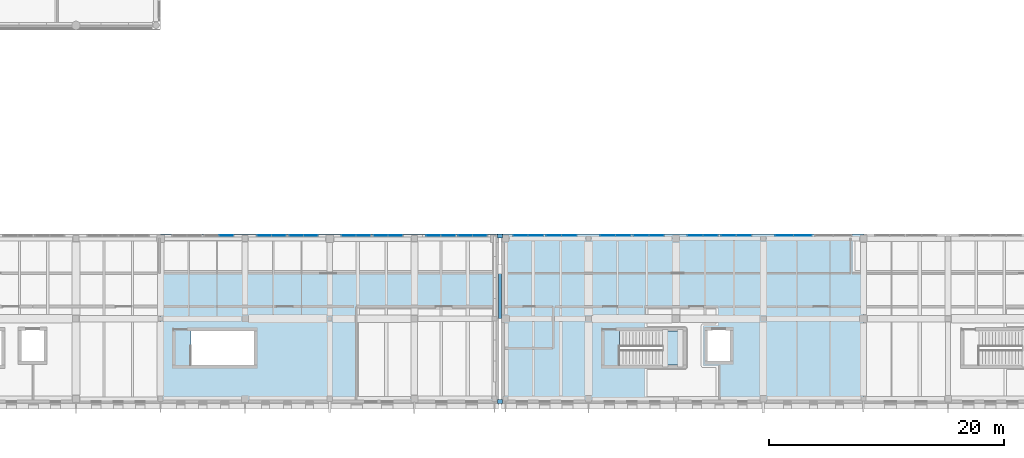
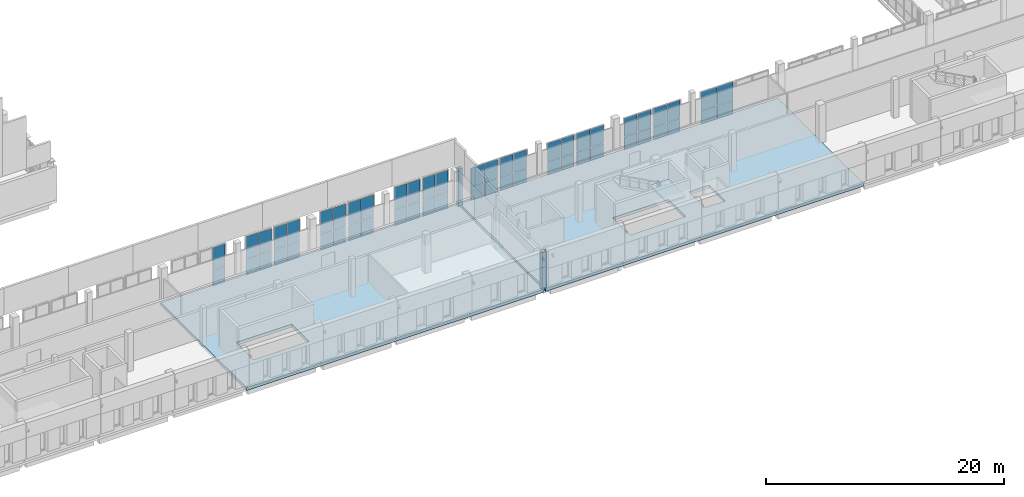
# One storey, part 40 of 76: 56 plates, 4 slabs, 15 elements without a shape of their own.
"""IFC4 building model written with IfcOpenShell, lengths in metres."""

from ifc_helpers import new_model, si_unit, direction, frame, origin, origin_2d, place, context, subcontext, project, spatial, polyline, rectangle, outline, extrude, material, layer, layer_set, type_object, element, aggregate, save


model = new_model("IFC4")

# Units and contexts
model_context = context("Model", 3, precision=1e-05, world=origin(), true_north=direction((0.0, 1.0)))
body_context = subcontext(model_context, "Body", "Model", "MODEL_VIEW")
ifc_project = project(units=[si_unit("LENGTHUNIT", "METRE"), si_unit("AREAUNIT", "SQUARE_METRE"), si_unit("VOLUMEUNIT", "CUBIC_METRE"), si_unit("PLANEANGLEUNIT", "RADIAN"), si_unit("MASSUNIT", "GRAM", prefix="KILO")], contexts=[model_context])

# Site, building, storey
site_placement = place(None, origin())
site = spatial("IfcSite", under=ifc_project, at=site_placement, CompositionType="ELEMENT")
building_placement = place(site_placement, origin())
building = spatial("IfcBuilding", under=site, at=building_placement, Name="Vardoun Plaza Health Centre", CompositionType="ELEMENT")
storey_placement = place(building_placement, frame((0.0, 0.0, 4.5)))
storey = spatial("IfcBuildingStorey", under=building, at=storey_placement, Name="L01", CompositionType="ELEMENT", Elevation=4.5)

# Curtain wall, plates
ifc_material_1 = material(Name="Aluminium Alloy EN AW-6063-T6 and Low-E Glass", Category="aluminium")
ifc_layer_1 = layer(ifc_material_1, 0.14990234375)
ifc_layer_set_1 = layer_set([ifc_layer_1], Name="Aluminium Alloy EN AW-6063-T6 and Low-E Glass")
curtain_wall_type = type_object("IfcCurtainWallType", Name="CW-03", PredefinedType="NOTDEFINED", material=ifc_layer_set_1)
curtain_wall_1_placement = place(storey_placement, origin())
curtain_wall_1 = element("IfcCurtainWall", 1, at=curtain_wall_1_placement, inside=storey, type_object=curtain_wall_type, Name="Curtain Wall CW-V4-126", PredefinedType="NOTDEFINED")
ifc_material_2 = material(Name="Solar-Control Double Low-E Glazing", Category="glass")
ifc_layer_2 = layer(ifc_material_2, 0.028076171875)
ifc_layer_set_2 = layer_set([ifc_layer_2], Name="Solar-Control Double Low-E Glazing")
plate_type_1 = type_object("IfcPlateType", Name="CW-P1", PredefinedType="CURTAIN_PANEL", material=ifc_layer_set_2)
plate_1_placement = place(storey_placement, frame((82.264892578125, 18.780029296875, 0.06005859375), z_axis=(0.0, 0.0, 1.0), x_axis=(1.0, 0.0, 0.0)))
plate_1 = element("IfcPlate", 2, at=plate_1_placement, type_object=plate_type_1, Name="CW-V4-126 panel 2.1", PredefinedType="CURTAIN_PANEL", context=body_context, shape_type="SweptSolid", body=[
    extrude(rectangle(XDim=1.18994140625, YDim=0.028076171875, at=origin_2d()), origin(), (0.0, 0.0, 1.0), 1.587890625),
])
plate_2_placement = place(storey_placement, frame((82.264892578125, 18.780029296875, 1.7080078125), z_axis=(0.0, 0.0, 1.0), x_axis=(1.0, 0.0, 0.0)))
plate_2 = element("IfcPlate", 3, at=plate_2_placement, type_object=plate_type_1, Name="CW-V4-126 panel 2.2", PredefinedType="CURTAIN_PANEL", context=body_context, shape_type="SweptSolid", body=[
    extrude(rectangle(XDim=1.18994140625, YDim=0.028076171875, at=origin_2d()), origin(), (0.0, 0.0, 1.0), 2.22705078125),
])
aggregate(curtain_wall_1, [plate_1, plate_2])

curtain_wall_2_placement = place(storey_placement, origin())
curtain_wall_2 = element("IfcCurtainWall", 4, at=curtain_wall_2_placement, inside=storey, type_object=curtain_wall_type, Name="Curtain Wall CW-V4-127", PredefinedType="NOTDEFINED")
plate_3_placement = place(storey_placement, frame((85.4951171875, 18.780029296875, 0.06005859375), z_axis=(0.0, 0.0, 1.0), x_axis=(1.0, 0.0, 0.0)))
plate_3 = element("IfcPlate", 5, at=plate_3_placement, type_object=plate_type_1, Name="CW-V4-127 panel 1.1", PredefinedType="CURTAIN_PANEL", context=body_context, shape_type="SweptSolid", body=[
    extrude(rectangle(XDim=1.18994140625, YDim=0.028076171875, at=origin_2d()), origin(), (0.0, 0.0, 1.0), 1.587890625),
])
plate_4_placement = place(storey_placement, frame((85.4951171875, 18.780029296875, 1.7080078125), z_axis=(0.0, 0.0, 1.0), x_axis=(1.0, 0.0, 0.0)))
plate_4 = element("IfcPlate", 6, at=plate_4_placement, type_object=plate_type_1, Name="CW-V4-127 panel 1.2", PredefinedType="CURTAIN_PANEL", context=body_context, shape_type="SweptSolid", body=[
    extrude(rectangle(XDim=1.18994140625, YDim=0.028076171875, at=origin_2d()), origin(), (0.0, 0.0, 1.0), 2.22705078125),
])
plate_5_placement = place(storey_placement, frame((86.7451171875, 18.780029296875, 0.06005859375), z_axis=(0.0, 0.0, 1.0), x_axis=(1.0, 0.0, 0.0)))
plate_5 = element("IfcPlate", 7, at=plate_5_placement, type_object=plate_type_1, Name="CW-V4-127 panel 2.1", PredefinedType="CURTAIN_PANEL", context=body_context, shape_type="SweptSolid", body=[
    extrude(rectangle(XDim=1.18994140625, YDim=0.028076171875, at=origin_2d()), origin(), (0.0, 0.0, 1.0), 1.587890625),
])
plate_6_placement = place(storey_placement, frame((86.7451171875, 18.780029296875, 1.7080078125), z_axis=(0.0, 0.0, 1.0), x_axis=(1.0, 0.0, 0.0)))
plate_6 = element("IfcPlate", 8, at=plate_6_placement, type_object=plate_type_1, Name="CW-V4-127 panel 2.2", PredefinedType="CURTAIN_PANEL", context=body_context, shape_type="SweptSolid", body=[
    extrude(rectangle(XDim=1.18994140625, YDim=0.028076171875, at=origin_2d()), origin(), (0.0, 0.0, 1.0), 2.22705078125),
])
aggregate(curtain_wall_2, [plate_3, plate_4, plate_5, plate_6])

curtain_wall_3_placement = place(storey_placement, origin())
curtain_wall_3 = element("IfcCurtainWall", 9, at=curtain_wall_3_placement, inside=storey, type_object=curtain_wall_type, Name="Curtain Wall CW-V4-128", PredefinedType="NOTDEFINED")
plate_7_placement = place(storey_placement, frame((88.215087890625, 18.780029296875, 0.06005859375), z_axis=(0.0, 0.0, 1.0), x_axis=(1.0, 0.0, 0.0)))
plate_7 = element("IfcPlate", 10, at=plate_7_placement, type_object=plate_type_1, Name="CW-V4-128 panel 1.1", PredefinedType="CURTAIN_PANEL", context=body_context, shape_type="SweptSolid", body=[
    extrude(rectangle(XDim=1.18994140625, YDim=0.028076171875, at=origin_2d()), origin(), (0.0, 0.0, 1.0), 1.587890625),
])
plate_8_placement = place(storey_placement, frame((88.215087890625, 18.780029296875, 1.7080078125), z_axis=(0.0, 0.0, 1.0), x_axis=(1.0, 0.0, 0.0)))
plate_8 = element("IfcPlate", 11, at=plate_8_placement, type_object=plate_type_1, Name="CW-V4-128 panel 1.2", PredefinedType="CURTAIN_PANEL", context=body_context, shape_type="SweptSolid", body=[
    extrude(rectangle(XDim=1.18994140625, YDim=0.028076171875, at=origin_2d()), origin(), (0.0, 0.0, 1.0), 2.22705078125),
])
plate_9_placement = place(storey_placement, frame((89.465087890625, 18.780029296875, 0.06005859375), z_axis=(0.0, 0.0, 1.0), x_axis=(1.0, 0.0, 0.0)))
plate_9 = element("IfcPlate", 12, at=plate_9_placement, type_object=plate_type_1, Name="CW-V4-128 panel 2.1", PredefinedType="CURTAIN_PANEL", context=body_context, shape_type="SweptSolid", body=[
    extrude(rectangle(XDim=1.18994140625, YDim=0.028076171875, at=origin_2d()), origin(), (0.0, 0.0, 1.0), 1.587890625),
])
plate_10_placement = place(storey_placement, frame((89.465087890625, 18.780029296875, 1.7080078125), z_axis=(0.0, 0.0, 1.0), x_axis=(1.0, 0.0, 0.0)))
plate_10 = element("IfcPlate", 13, at=plate_10_placement, type_object=plate_type_1, Name="CW-V4-128 panel 2.2", PredefinedType="CURTAIN_PANEL", context=body_context, shape_type="SweptSolid", body=[
    extrude(rectangle(XDim=1.18994140625, YDim=0.028076171875, at=origin_2d()), origin(), (0.0, 0.0, 1.0), 2.22705078125),
])
aggregate(curtain_wall_3, [plate_7, plate_8, plate_9, plate_10])

curtain_wall_4_placement = place(storey_placement, origin())
curtain_wall_4 = element("IfcCurtainWall", 14, at=curtain_wall_4_placement, inside=storey, type_object=curtain_wall_type, Name="Curtain Wall CW-V4-129", PredefinedType="NOTDEFINED")
plate_11_placement = place(storey_placement, frame((92.695068359375, 18.780029296875, 0.06005859375), z_axis=(0.0, 0.0, 1.0), x_axis=(1.0, 0.0, 0.0)))
plate_11 = element("IfcPlate", 15, at=plate_11_placement, type_object=plate_type_1, Name="CW-V4-129 panel 1.1", PredefinedType="CURTAIN_PANEL", context=body_context, shape_type="SweptSolid", body=[
    extrude(rectangle(XDim=1.18994140625, YDim=0.028076171875, at=origin_2d()), origin(), (0.0, 0.0, 1.0), 1.587890625),
])
plate_12_placement = place(storey_placement, frame((92.695068359375, 18.780029296875, 1.7080078125), z_axis=(0.0, 0.0, 1.0), x_axis=(1.0, 0.0, 0.0)))
plate_12 = element("IfcPlate", 16, at=plate_12_placement, type_object=plate_type_1, Name="CW-V4-129 panel 1.2", PredefinedType="CURTAIN_PANEL", context=body_context, shape_type="SweptSolid", body=[
    extrude(rectangle(XDim=1.18994140625, YDim=0.028076171875, at=origin_2d()), origin(), (0.0, 0.0, 1.0), 2.22705078125),
])
plate_13_placement = place(storey_placement, frame((93.945068359375, 18.780029296875, 0.06005859375), z_axis=(0.0, 0.0, 1.0), x_axis=(1.0, 0.0, 0.0)))
plate_13 = element("IfcPlate", 17, at=plate_13_placement, type_object=plate_type_1, Name="CW-V4-129 panel 2.1", PredefinedType="CURTAIN_PANEL", context=body_context, shape_type="SweptSolid", body=[
    extrude(rectangle(XDim=1.18994140625, YDim=0.028076171875, at=origin_2d()), origin(), (0.0, 0.0, 1.0), 1.587890625),
])
plate_14_placement = place(storey_placement, frame((93.945068359375, 18.780029296875, 1.7080078125), z_axis=(0.0, 0.0, 1.0), x_axis=(1.0, 0.0, 0.0)))
plate_14 = element("IfcPlate", 18, at=plate_14_placement, type_object=plate_type_1, Name="CW-V4-129 panel 2.2", PredefinedType="CURTAIN_PANEL", context=body_context, shape_type="SweptSolid", body=[
    extrude(rectangle(XDim=1.18994140625, YDim=0.028076171875, at=origin_2d()), origin(), (0.0, 0.0, 1.0), 2.22705078125),
])
aggregate(curtain_wall_4, [plate_11, plate_12, plate_13, plate_14])

curtain_wall_5_placement = place(storey_placement, origin())
curtain_wall_5 = element("IfcCurtainWall", 19, at=curtain_wall_5_placement, inside=storey, type_object=curtain_wall_type, Name="Curtain Wall CW-V4-130", PredefinedType="NOTDEFINED")
plate_15_placement = place(storey_placement, frame((95.4150390625, 18.780029296875, 0.06005859375), z_axis=(0.0, 0.0, 1.0), x_axis=(1.0, 0.0, 0.0)))
plate_15 = element("IfcPlate", 20, at=plate_15_placement, type_object=plate_type_1, Name="CW-V4-130 panel 1.1", PredefinedType="CURTAIN_PANEL", context=body_context, shape_type="SweptSolid", body=[
    extrude(rectangle(XDim=1.18994140625, YDim=0.028076171875, at=origin_2d()), origin(), (0.0, 0.0, 1.0), 1.587890625),
])
plate_16_placement = place(storey_placement, frame((95.4150390625, 18.780029296875, 1.7080078125), z_axis=(0.0, 0.0, 1.0), x_axis=(1.0, 0.0, 0.0)))
plate_16 = element("IfcPlate", 21, at=plate_16_placement, type_object=plate_type_1, Name="CW-V4-130 panel 1.2", PredefinedType="CURTAIN_PANEL", context=body_context, shape_type="SweptSolid", body=[
    extrude(rectangle(XDim=1.18994140625, YDim=0.028076171875, at=origin_2d()), origin(), (0.0, 0.0, 1.0), 2.22705078125),
])
plate_17_placement = place(storey_placement, frame((96.6650390625, 18.780029296875, 0.06005859375), z_axis=(0.0, 0.0, 1.0), x_axis=(1.0, 0.0, 0.0)))
plate_17 = element("IfcPlate", 22, at=plate_17_placement, type_object=plate_type_1, Name="CW-V4-130 panel 2.1", PredefinedType="CURTAIN_PANEL", context=body_context, shape_type="SweptSolid", body=[
    extrude(rectangle(XDim=1.18994140625, YDim=0.028076171875, at=origin_2d()), origin(), (0.0, 0.0, 1.0), 1.587890625),
])
plate_18_placement = place(storey_placement, frame((96.6650390625, 18.780029296875, 1.7080078125), z_axis=(0.0, 0.0, 1.0), x_axis=(1.0, 0.0, 0.0)))
plate_18 = element("IfcPlate", 23, at=plate_18_placement, type_object=plate_type_1, Name="CW-V4-130 panel 2.2", PredefinedType="CURTAIN_PANEL", context=body_context, shape_type="SweptSolid", body=[
    extrude(rectangle(XDim=1.18994140625, YDim=0.028076171875, at=origin_2d()), origin(), (0.0, 0.0, 1.0), 2.22705078125),
])
aggregate(curtain_wall_5, [plate_15, plate_16, plate_17, plate_18])

curtain_wall_6_placement = place(storey_placement, origin())
curtain_wall_6 = element("IfcCurtainWall", 24, at=curtain_wall_6_placement, inside=storey, type_object=curtain_wall_type, Name="Curtain Wall CW-V4-131", PredefinedType="NOTDEFINED")
plate_19_placement = place(storey_placement, frame((99.89501953125, 18.780029296875, 0.06005859375), z_axis=(0.0, 0.0, 1.0), x_axis=(1.0, 0.0, 0.0)))
plate_19 = element("IfcPlate", 25, at=plate_19_placement, type_object=plate_type_1, Name="CW-V4-131 panel 1.1", PredefinedType="CURTAIN_PANEL", context=body_context, shape_type="SweptSolid", body=[
    extrude(rectangle(XDim=1.18994140625, YDim=0.028076171875, at=origin_2d()), origin(), (0.0, 0.0, 1.0), 1.587890625),
])
plate_20_placement = place(storey_placement, frame((99.89501953125, 18.780029296875, 1.7080078125), z_axis=(0.0, 0.0, 1.0), x_axis=(1.0, 0.0, 0.0)))
plate_20 = element("IfcPlate", 26, at=plate_20_placement, type_object=plate_type_1, Name="CW-V4-131 panel 1.2", PredefinedType="CURTAIN_PANEL", context=body_context, shape_type="SweptSolid", body=[
    extrude(rectangle(XDim=1.18994140625, YDim=0.028076171875, at=origin_2d()), origin(), (0.0, 0.0, 1.0), 2.22705078125),
])
plate_21_placement = place(storey_placement, frame((101.14501953125, 18.780029296875, 0.06005859375), z_axis=(0.0, 0.0, 1.0), x_axis=(1.0, 0.0, 0.0)))
plate_21 = element("IfcPlate", 27, at=plate_21_placement, type_object=plate_type_1, Name="CW-V4-131 panel 2.1", PredefinedType="CURTAIN_PANEL", context=body_context, shape_type="SweptSolid", body=[
    extrude(rectangle(XDim=1.18994140625, YDim=0.028076171875, at=origin_2d()), origin(), (0.0, 0.0, 1.0), 1.587890625),
])
plate_22_placement = place(storey_placement, frame((101.14501953125, 18.780029296875, 1.7080078125), z_axis=(0.0, 0.0, 1.0), x_axis=(1.0, 0.0, 0.0)))
plate_22 = element("IfcPlate", 28, at=plate_22_placement, type_object=plate_type_1, Name="CW-V4-131 panel 2.2", PredefinedType="CURTAIN_PANEL", context=body_context, shape_type="SweptSolid", body=[
    extrude(rectangle(XDim=1.18994140625, YDim=0.028076171875, at=origin_2d()), origin(), (0.0, 0.0, 1.0), 2.22705078125),
])
aggregate(curtain_wall_6, [plate_19, plate_20, plate_21, plate_22])

curtain_wall_7_placement = place(storey_placement, origin())
curtain_wall_7 = element("IfcCurtainWall", 29, at=curtain_wall_7_placement, inside=storey, type_object=curtain_wall_type, Name="Curtain Wall CW-V4-132", PredefinedType="NOTDEFINED")
plate_23_placement = place(storey_placement, frame((102.614990234375, 18.780029296875, 0.06005859375), z_axis=(0.0, 0.0, 1.0), x_axis=(1.0, 0.0, 0.0)))
plate_23 = element("IfcPlate", 30, at=plate_23_placement, type_object=plate_type_1, Name="CW-V4-132 panel 1.1", PredefinedType="CURTAIN_PANEL", context=body_context, shape_type="SweptSolid", body=[
    extrude(rectangle(XDim=1.18994140625, YDim=0.028076171875, at=origin_2d()), origin(), (0.0, 0.0, 1.0), 1.587890625),
])
plate_24_placement = place(storey_placement, frame((102.614990234375, 18.780029296875, 1.7080078125), z_axis=(0.0, 0.0, 1.0), x_axis=(1.0, 0.0, 0.0)))
plate_24 = element("IfcPlate", 31, at=plate_24_placement, type_object=plate_type_1, Name="CW-V4-132 panel 1.2", PredefinedType="CURTAIN_PANEL", context=body_context, shape_type="SweptSolid", body=[
    extrude(rectangle(XDim=1.18994140625, YDim=0.028076171875, at=origin_2d()), origin(), (0.0, 0.0, 1.0), 2.22705078125),
])
plate_25_placement = place(storey_placement, frame((103.864990234375, 18.780029296875, 0.06005859375), z_axis=(0.0, 0.0, 1.0), x_axis=(1.0, 0.0, 0.0)))
plate_25 = element("IfcPlate", 32, at=plate_25_placement, type_object=plate_type_1, Name="CW-V4-132 panel 2.1", PredefinedType="CURTAIN_PANEL", context=body_context, shape_type="SweptSolid", body=[
    extrude(rectangle(XDim=1.18994140625, YDim=0.028076171875, at=origin_2d()), origin(), (0.0, 0.0, 1.0), 1.587890625),
])
plate_26_placement = place(storey_placement, frame((103.864990234375, 18.780029296875, 1.7080078125), z_axis=(0.0, 0.0, 1.0), x_axis=(1.0, 0.0, 0.0)))
plate_26 = element("IfcPlate", 33, at=plate_26_placement, type_object=plate_type_1, Name="CW-V4-132 panel 2.2", PredefinedType="CURTAIN_PANEL", context=body_context, shape_type="SweptSolid", body=[
    extrude(rectangle(XDim=1.18994140625, YDim=0.028076171875, at=origin_2d()), origin(), (0.0, 0.0, 1.0), 2.22705078125),
])
aggregate(curtain_wall_7, [plate_23, plate_24, plate_25, plate_26])

curtain_wall_8_placement = place(storey_placement, origin())
curtain_wall_8 = element("IfcCurtainWall", 34, at=curtain_wall_8_placement, inside=storey, type_object=curtain_wall_type, Name="Curtain Wall CW-V5-149", PredefinedType="NOTDEFINED")
plate_27_placement = place(storey_placement, frame((107.304931640625, 18.780029296875, 0.06005859375), z_axis=(0.0, 0.0, 1.0), x_axis=(1.0, 0.0, 0.0)))
plate_27 = element("IfcPlate", 35, at=plate_27_placement, type_object=plate_type_1, Name="CW-V5-149 panel 1.1", PredefinedType="CURTAIN_PANEL", context=body_context, shape_type="SweptSolid", body=[
    extrude(rectangle(XDim=1.25, YDim=0.028076171875, at=origin_2d()), origin(), (0.0, 0.0, 1.0), 1.333740234375),
])
plate_28_placement = place(storey_placement, frame((107.304931640625, 18.780029296875, 1.45361328125), z_axis=(0.0, 0.0, 1.0), x_axis=(1.0, 0.0, 0.0)))
plate_28 = element("IfcPlate", 36, at=plate_28_placement, type_object=plate_type_1, Name="CW-V5-149 panel 1.2", PredefinedType="CURTAIN_PANEL", context=body_context, shape_type="SweptSolid", body=[
    extrude(rectangle(XDim=1.25, YDim=0.028076171875, at=origin_2d()), origin(), (0.0, 0.0, 1.0), 1.876220703125),
])
plate_29_placement = place(storey_placement, frame((108.614990234375, 18.780029296875, 0.06005859375), z_axis=(0.0, 0.0, 1.0), x_axis=(1.0, 0.0, 0.0)))
plate_29 = element("IfcPlate", 37, at=plate_29_placement, type_object=plate_type_1, Name="CW-V5-149 panel 2.1", PredefinedType="CURTAIN_PANEL", context=body_context, shape_type="SweptSolid", body=[
    extrude(rectangle(XDim=1.25, YDim=0.028076171875, at=origin_2d()), origin(), (0.0, 0.0, 1.0), 1.333740234375),
])
plate_30_placement = place(storey_placement, frame((108.614990234375, 18.780029296875, 1.45361328125), z_axis=(0.0, 0.0, 1.0), x_axis=(1.0, 0.0, 0.0)))
plate_30 = element("IfcPlate", 38, at=plate_30_placement, type_object=plate_type_1, Name="CW-V5-149 panel 2.2", PredefinedType="CURTAIN_PANEL", context=body_context, shape_type="SweptSolid", body=[
    extrude(rectangle(XDim=1.25, YDim=0.028076171875, at=origin_2d()), origin(), (0.0, 0.0, 1.0), 1.876220703125),
])
aggregate(curtain_wall_8, [plate_27, plate_28, plate_29, plate_30])

curtain_wall_9_placement = place(storey_placement, origin())
curtain_wall_9 = element("IfcCurtainWall", 39, at=curtain_wall_9_placement, inside=storey, type_object=curtain_wall_type, Name="Curtain Wall CW-V5-150", PredefinedType="NOTDEFINED")
plate_31_placement = place(storey_placement, frame((110.14501953125, 18.780029296875, 0.06005859375), z_axis=(0.0, 0.0, 1.0), x_axis=(1.0, 0.0, 0.0)))
plate_31 = element("IfcPlate", 40, at=plate_31_placement, type_object=plate_type_1, Name="CW-V5-150 panel 1.1", PredefinedType="CURTAIN_PANEL", context=body_context, shape_type="SweptSolid", body=[
    extrude(rectangle(XDim=1.25, YDim=0.028076171875, at=origin_2d()), origin(), (0.0, 0.0, 1.0), 1.333740234375),
])
plate_32_placement = place(storey_placement, frame((110.14501953125, 18.780029296875, 1.45361328125), z_axis=(0.0, 0.0, 1.0), x_axis=(1.0, 0.0, 0.0)))
plate_32 = element("IfcPlate", 41, at=plate_32_placement, type_object=plate_type_1, Name="CW-V5-150 panel 1.2", PredefinedType="CURTAIN_PANEL", context=body_context, shape_type="SweptSolid", body=[
    extrude(rectangle(XDim=1.25, YDim=0.028076171875, at=origin_2d()), origin(), (0.0, 0.0, 1.0), 1.876220703125),
])
plate_33_placement = place(storey_placement, frame((111.455078125, 18.780029296875, 0.06005859375), z_axis=(0.0, 0.0, 1.0), x_axis=(1.0, 0.0, 0.0)))
plate_33 = element("IfcPlate", 42, at=plate_33_placement, type_object=plate_type_1, Name="CW-V5-150 panel 2.1", PredefinedType="CURTAIN_PANEL", context=body_context, shape_type="SweptSolid", body=[
    extrude(rectangle(XDim=1.25, YDim=0.028076171875, at=origin_2d()), origin(), (0.0, 0.0, 1.0), 1.333740234375),
])
plate_34_placement = place(storey_placement, frame((111.455078125, 18.780029296875, 1.45361328125), z_axis=(0.0, 0.0, 1.0), x_axis=(1.0, 0.0, 0.0)))
plate_34 = element("IfcPlate", 43, at=plate_34_placement, type_object=plate_type_1, Name="CW-V5-150 panel 2.2", PredefinedType="CURTAIN_PANEL", context=body_context, shape_type="SweptSolid", body=[
    extrude(rectangle(XDim=1.25, YDim=0.028076171875, at=origin_2d()), origin(), (0.0, 0.0, 1.0), 1.876220703125),
])
aggregate(curtain_wall_9, [plate_31, plate_32, plate_33, plate_34])

curtain_wall_10_placement = place(storey_placement, origin())
curtain_wall_10 = element("IfcCurtainWall", 44, at=curtain_wall_10_placement, inside=storey, type_object=curtain_wall_type, Name="Curtain Wall CW-V5-151", PredefinedType="NOTDEFINED")
plate_35_placement = place(storey_placement, frame((114.7451171875, 18.780029296875, 0.06005859375), z_axis=(0.0, 0.0, 1.0), x_axis=(1.0, 0.0, 0.0)))
plate_35 = element("IfcPlate", 45, at=plate_35_placement, type_object=plate_type_1, Name="CW-V5-151 panel 1.1", PredefinedType="CURTAIN_PANEL", context=body_context, shape_type="SweptSolid", body=[
    extrude(rectangle(XDim=1.25, YDim=0.028076171875, at=origin_2d()), origin(), (0.0, 0.0, 1.0), 1.30029296875),
])
plate_36_placement = place(storey_placement, frame((114.7451171875, 18.780029296875, 1.42041015625), z_axis=(0.0, 0.0, 1.0), x_axis=(1.0, 0.0, 0.0)))
plate_36 = element("IfcPlate", 46, at=plate_36_placement, type_object=plate_type_1, Name="CW-V5-151 panel 1.2", PredefinedType="CURTAIN_PANEL", context=body_context, shape_type="SweptSolid", body=[
    extrude(rectangle(XDim=1.25, YDim=0.028076171875, at=origin_2d()), origin(), (0.0, 0.0, 1.0), 1.829833984375),
])
plate_37_placement = place(storey_placement, frame((116.054931640625, 18.780029296875, 0.06005859375), z_axis=(0.0, 0.0, 1.0), x_axis=(1.0, 0.0, 0.0)))
plate_37 = element("IfcPlate", 47, at=plate_37_placement, type_object=plate_type_1, Name="CW-V5-151 panel 2.1", PredefinedType="CURTAIN_PANEL", context=body_context, shape_type="SweptSolid", body=[
    extrude(rectangle(XDim=1.25, YDim=0.028076171875, at=origin_2d()), origin(), (0.0, 0.0, 1.0), 1.30029296875),
])
plate_38_placement = place(storey_placement, frame((116.054931640625, 18.780029296875, 1.42041015625), z_axis=(0.0, 0.0, 1.0), x_axis=(1.0, 0.0, 0.0)))
plate_38 = element("IfcPlate", 48, at=plate_38_placement, type_object=plate_type_1, Name="CW-V5-151 panel 2.2", PredefinedType="CURTAIN_PANEL", context=body_context, shape_type="SweptSolid", body=[
    extrude(rectangle(XDim=1.25, YDim=0.028076171875, at=origin_2d()), origin(), (0.0, 0.0, 1.0), 1.829833984375),
])
aggregate(curtain_wall_10, [plate_35, plate_36, plate_37, plate_38])

curtain_wall_11_placement = place(storey_placement, origin())
curtain_wall_11 = element("IfcCurtainWall", 49, at=curtain_wall_11_placement, inside=storey, type_object=curtain_wall_type, Name="Curtain Wall CW-V5-152", PredefinedType="NOTDEFINED")
plate_39_placement = place(storey_placement, frame((117.5849609375, 18.780029296875, 0.06005859375), z_axis=(0.0, 0.0, 1.0), x_axis=(1.0, 0.0, 0.0)))
plate_39 = element("IfcPlate", 50, at=plate_39_placement, type_object=plate_type_1, Name="CW-V5-152 panel 1.1", PredefinedType="CURTAIN_PANEL", context=body_context, shape_type="SweptSolid", body=[
    extrude(rectangle(XDim=1.25, YDim=0.028076171875, at=origin_2d()), origin(), (0.0, 0.0, 1.0), 1.30029296875),
])
plate_40_placement = place(storey_placement, frame((117.5849609375, 18.780029296875, 1.42041015625), z_axis=(0.0, 0.0, 1.0), x_axis=(1.0, 0.0, 0.0)))
plate_40 = element("IfcPlate", 51, at=plate_40_placement, type_object=plate_type_1, Name="CW-V5-152 panel 1.2", PredefinedType="CURTAIN_PANEL", context=body_context, shape_type="SweptSolid", body=[
    extrude(rectangle(XDim=1.25, YDim=0.028076171875, at=origin_2d()), origin(), (0.0, 0.0, 1.0), 1.829833984375),
])
plate_41_placement = place(storey_placement, frame((118.89501953125, 18.780029296875, 0.06005859375), z_axis=(0.0, 0.0, 1.0), x_axis=(1.0, 0.0, 0.0)))
plate_41 = element("IfcPlate", 52, at=plate_41_placement, type_object=plate_type_1, Name="CW-V5-152 panel 2.1", PredefinedType="CURTAIN_PANEL", context=body_context, shape_type="SweptSolid", body=[
    extrude(rectangle(XDim=1.25, YDim=0.028076171875, at=origin_2d()), origin(), (0.0, 0.0, 1.0), 1.30029296875),
])
plate_42_placement = place(storey_placement, frame((118.89501953125, 18.780029296875, 1.42041015625), z_axis=(0.0, 0.0, 1.0), x_axis=(1.0, 0.0, 0.0)))
plate_42 = element("IfcPlate", 53, at=plate_42_placement, type_object=plate_type_1, Name="CW-V5-152 panel 2.2", PredefinedType="CURTAIN_PANEL", context=body_context, shape_type="SweptSolid", body=[
    extrude(rectangle(XDim=1.25, YDim=0.028076171875, at=origin_2d()), origin(), (0.0, 0.0, 1.0), 1.829833984375),
])
aggregate(curtain_wall_11, [plate_39, plate_40, plate_41, plate_42])

curtain_wall_12_placement = place(storey_placement, origin())
curtain_wall_12 = element("IfcCurtainWall", 54, at=curtain_wall_12_placement, inside=storey, type_object=curtain_wall_type, Name="Curtain Wall CW-V5-153", PredefinedType="NOTDEFINED")
plate_43_placement = place(storey_placement, frame((122.18505859375, 18.780029296875, 0.06005859375), z_axis=(0.0, 0.0, 1.0), x_axis=(1.0, 0.0, 0.0)))
plate_43 = element("IfcPlate", 55, at=plate_43_placement, type_object=plate_type_1, Name="CW-V5-153 panel 1.1", PredefinedType="CURTAIN_PANEL", context=body_context, shape_type="SweptSolid", body=[
    extrude(rectangle(XDim=1.25, YDim=0.028076171875, at=origin_2d()), origin(), (0.0, 0.0, 1.0), 1.283447265625),
])
plate_44_placement = place(storey_placement, frame((122.18505859375, 18.780029296875, 1.4033203125), z_axis=(0.0, 0.0, 1.0), x_axis=(1.0, 0.0, 0.0)))
plate_44 = element("IfcPlate", 56, at=plate_44_placement, type_object=plate_type_1, Name="CW-V5-153 panel 1.2", PredefinedType="CURTAIN_PANEL", context=body_context, shape_type="SweptSolid", body=[
    extrude(rectangle(XDim=1.25, YDim=0.028076171875, at=origin_2d()), origin(), (0.0, 0.0, 1.0), 1.806640625),
])
plate_45_placement = place(storey_placement, frame((123.4951171875, 18.780029296875, 0.06005859375), z_axis=(0.0, 0.0, 1.0), x_axis=(1.0, 0.0, 0.0)))
plate_45 = element("IfcPlate", 57, at=plate_45_placement, type_object=plate_type_1, Name="CW-V5-153 panel 2.1", PredefinedType="CURTAIN_PANEL", context=body_context, shape_type="SweptSolid", body=[
    extrude(rectangle(XDim=1.25, YDim=0.028076171875, at=origin_2d()), origin(), (0.0, 0.0, 1.0), 1.283447265625),
])
plate_46_placement = place(storey_placement, frame((123.4951171875, 18.780029296875, 1.4033203125), z_axis=(0.0, 0.0, 1.0), x_axis=(1.0, 0.0, 0.0)))
plate_46 = element("IfcPlate", 58, at=plate_46_placement, type_object=plate_type_1, Name="CW-V5-153 panel 2.2", PredefinedType="CURTAIN_PANEL", context=body_context, shape_type="SweptSolid", body=[
    extrude(rectangle(XDim=1.25, YDim=0.028076171875, at=origin_2d()), origin(), (0.0, 0.0, 1.0), 1.806640625),
])
aggregate(curtain_wall_12, [plate_43, plate_44, plate_45, plate_46])

curtain_wall_13_placement = place(storey_placement, origin())
curtain_wall_13 = element("IfcCurtainWall", 59, at=curtain_wall_13_placement, inside=storey, type_object=curtain_wall_type, Name="Curtain Wall CW-V5-154", PredefinedType="NOTDEFINED")
plate_47_placement = place(storey_placement, frame((125.02490234375, 18.780029296875, 0.06005859375), z_axis=(0.0, 0.0, 1.0), x_axis=(1.0, 0.0, 0.0)))
plate_47 = element("IfcPlate", 60, at=plate_47_placement, type_object=plate_type_1, Name="CW-V5-154 panel 1.1", PredefinedType="CURTAIN_PANEL", context=body_context, shape_type="SweptSolid", body=[
    extrude(rectangle(XDim=1.25, YDim=0.028076171875, at=origin_2d()), origin(), (0.0, 0.0, 1.0), 1.283447265625),
])
plate_48_placement = place(storey_placement, frame((125.02490234375, 18.780029296875, 1.4033203125), z_axis=(0.0, 0.0, 1.0), x_axis=(1.0, 0.0, 0.0)))
plate_48 = element("IfcPlate", 61, at=plate_48_placement, type_object=plate_type_1, Name="CW-V5-154 panel 1.2", PredefinedType="CURTAIN_PANEL", context=body_context, shape_type="SweptSolid", body=[
    extrude(rectangle(XDim=1.25, YDim=0.028076171875, at=origin_2d()), origin(), (0.0, 0.0, 1.0), 1.806640625),
])
plate_49_placement = place(storey_placement, frame((126.3349609375, 18.780029296875, 0.06005859375), z_axis=(0.0, 0.0, 1.0), x_axis=(1.0, 0.0, 0.0)))
plate_49 = element("IfcPlate", 62, at=plate_49_placement, type_object=plate_type_1, Name="CW-V5-154 panel 2.1", PredefinedType="CURTAIN_PANEL", context=body_context, shape_type="SweptSolid", body=[
    extrude(rectangle(XDim=1.25, YDim=0.028076171875, at=origin_2d()), origin(), (0.0, 0.0, 1.0), 1.283447265625),
])
plate_50_placement = place(storey_placement, frame((126.3349609375, 18.780029296875, 1.4033203125), z_axis=(0.0, 0.0, 1.0), x_axis=(1.0, 0.0, 0.0)))
plate_50 = element("IfcPlate", 63, at=plate_50_placement, type_object=plate_type_1, Name="CW-V5-154 panel 2.2", PredefinedType="CURTAIN_PANEL", context=body_context, shape_type="SweptSolid", body=[
    extrude(rectangle(XDim=1.25, YDim=0.028076171875, at=origin_2d()), origin(), (0.0, 0.0, 1.0), 1.806640625),
])
aggregate(curtain_wall_13, [plate_47, plate_48, plate_49, plate_50])

curtain_wall_14_placement = place(storey_placement, origin())
curtain_wall_14 = element("IfcCurtainWall", 64, at=curtain_wall_14_placement, inside=storey, type_object=curtain_wall_type, Name="Curtain Wall CW-V5-155", PredefinedType="NOTDEFINED")
plate_51_placement = place(storey_placement, frame((129.760009765625, 18.780029296875, 0.06005859375), z_axis=(0.0, 0.0, 1.0), x_axis=(1.0, 0.0, 0.0)))
plate_51 = element("IfcPlate", 65, at=plate_51_placement, type_object=plate_type_1, Name="CW-V5-155 panel 1.1", PredefinedType="CURTAIN_PANEL", context=body_context, shape_type="SweptSolid", body=[
    extrude(rectangle(XDim=1.52001953125, YDim=0.028076171875, at=origin_2d()), origin(), (0.0, 0.0, 1.0), 1.312744140625),
])
plate_52_placement = place(storey_placement, frame((129.760009765625, 18.780029296875, 1.432861328125), z_axis=(0.0, 0.0, 1.0), x_axis=(1.0, 0.0, 0.0)))
plate_52 = element("IfcPlate", 66, at=plate_52_placement, type_object=plate_type_1, Name="CW-V5-155 panel 1.2", PredefinedType="CURTAIN_PANEL", context=body_context, shape_type="SweptSolid", body=[
    extrude(rectangle(XDim=1.52001953125, YDim=0.028076171875, at=origin_2d()), origin(), (0.0, 0.0, 1.0), 1.84716796875),
])
plate_53_placement = place(storey_placement, frame((131.340087890625, 18.780029296875, 0.06005859375), z_axis=(0.0, 0.0, 1.0), x_axis=(1.0, 0.0, 0.0)))
plate_53 = element("IfcPlate", 67, at=plate_53_placement, type_object=plate_type_1, Name="CW-V5-155 panel 2.1", PredefinedType="CURTAIN_PANEL", context=body_context, shape_type="SweptSolid", body=[
    extrude(rectangle(XDim=1.52001953125, YDim=0.028076171875, at=origin_2d()), origin(), (0.0, 0.0, 1.0), 1.312744140625),
])
plate_54_placement = place(storey_placement, frame((131.340087890625, 18.780029296875, 1.432861328125), z_axis=(0.0, 0.0, 1.0), x_axis=(1.0, 0.0, 0.0)))
plate_54 = element("IfcPlate", 68, at=plate_54_placement, type_object=plate_type_1, Name="CW-V5-155 panel 2.2", PredefinedType="CURTAIN_PANEL", context=body_context, shape_type="SweptSolid", body=[
    extrude(rectangle(XDim=1.52001953125, YDim=0.028076171875, at=origin_2d()), origin(), (0.0, 0.0, 1.0), 1.84716796875),
])
aggregate(curtain_wall_14, [plate_51, plate_52, plate_53, plate_54])

# Stair, slab
ifc_material_3 = material(Name="Concrete C35/45", Category="concrete")
stair_type = type_object("IfcStairType", Name="ST-01", PredefinedType="HALF_TURN_STAIR", material=ifc_material_3)
stair_placement = place(storey_placement, origin())
stair = element("IfcStair", 69, at=stair_placement, inside=storey, type_object=stair_type, Name="Core C8 L01 Exit Stair ST-C8-L01", PredefinedType="HALF_TURN_STAIR")
ifc_material_4 = material(Name="Concrete C35/45", Category="concrete")
ifc_layer_3 = layer(ifc_material_4, 0.199951171875)
ifc_layer_set_3 = layer_set([ifc_layer_3], Name="Concrete C35/45")
slab_type_1 = type_object("IfcSlabType", Name="SL-LD", PredefinedType="LANDING", material=ifc_layer_set_3)
slab_1_placement = place(storey_placement, frame((0.0, 0.0, 1.89990234375)))
slab_1 = element("IfcSlab", 70, at=slab_1_placement, type_object=slab_type_1, Name="ST-C8-L01 landing 1", PredefinedType="LANDING", context=body_context, shape_type="SweptSolid", body=[
    extrude(outline(polyline([(119.389404296875, 7.75), (121.14990234375, 7.75), (121.14990234375, 10.64990234375), (119.389404296875, 10.64990234375), (119.389404296875, 7.75)])), origin(), (0.0, 0.0, 1.0), 0.2001953125),
])
aggregate(stair, [slab_1])

# Plates
ifc_material_5 = material(Name="Aluminium Alloy EN AW-6063-T6", Category="aluminium")
ifc_layer_4 = layer(ifc_material_5, 0.050048828125)
ifc_layer_set_4 = layer_set([ifc_layer_4], Name="Aluminium Alloy EN AW-6063-T6")
plate_type_2 = type_object("IfcPlateType", Name="SJ-01", PredefinedType="SHEET", material=ifc_layer_set_4)
for number, where, z_axis, x_axis, name in (
    (71, (105.570068359375, 4.64990234375, 0.0), (0.0, 0.0, 1.0), (1.0, 0.0, 0.0), "Seismic Joint Facade Cover SJ-V45-S-L01"),
    (72, (105.570068359375, 18.75, 0.0), (0.0, 0.0, 1.0), (1.0, 0.0, 0.0), "Seismic Joint Facade Cover SJ-V45-N-L01"),
):
    element("IfcPlate", number, at=place(storey_placement, frame(where, z_axis=z_axis, x_axis=x_axis)), inside=storey, type_object=plate_type_2, Name=name, PredefinedType="SHEET", context=body_context, shape_type="SweptSolid", body=[
        extrude(rectangle(XDim=0.419921875, YDim=0.360107421875, at=origin_2d()), origin(), (0.0, 0.0, 1.0), 3.800048828125),
    ])

# Slabs
ifc_material_6 = material(Name="Concrete C35/45", Category="concrete")
ifc_layer_5 = layer(ifc_material_6, 0.219970703125)
ifc_layer_set_5 = layer_set([ifc_layer_5], Name="Concrete C35/45")
slab_type_2 = type_object("IfcSlabType", Name="SL-06", PredefinedType="FLOOR", material=ifc_layer_set_5)
slab_2_placement = place(storey_placement, frame((0.0, 0.0, -0.219970703125)))
element("IfcSlab", 73, at=slab_2_placement, inside=storey, type_object=slab_type_2, Name="Seismic Link Bridge BR-04 Deck", PredefinedType="FLOOR", context=body_context, shape_type="SweptSolid", body=[
    extrude(outline(polyline([(105.4599609375, 11.699951171875), (105.679931640625, 11.699951171875), (105.679931640625, 15.89990234375), (105.4599609375, 15.89990234375), (105.4599609375, 11.699951171875)])), origin(), (0.0, 0.0, 1.0), 0.219970703125),
])
ifc_material_7 = material(Name="Concrete C35/45", Category="concrete")
ifc_layer_6 = layer(ifc_material_7, 0.294921875)
ifc_layer_set_6 = layer_set([ifc_layer_6], Name="Concrete C35/45")
slab_type_3 = type_object("IfcSlabType", Name="SL-04", PredefinedType="FLOOR", material=ifc_layer_set_6)
slab_3_placement = place(storey_placement, frame((0.0, 0.0, -0.294921875)))
element("IfcSlab", 74, at=slab_3_placement, inside=storey, type_object=slab_type_3, Name="V5 L01 Structural Slab A", PredefinedType="FLOOR", context=body_context, shape_type="SweptSolid", body=[
    extrude(outline(polyline([(105.659912109375, 4.5), (136.5, 4.5), (136.5, 18.89990234375), (105.659912109375, 18.89990234375), (105.659912109375, 4.5)]), holes=[polyline([(115.75048828125, 7.75), (121.14990234375, 7.75), (121.14990234375, 10.64990234375), (115.75048828125, 10.64990234375), (115.75048828125, 7.75)]), polyline([(123.219970703125, 8.070068359375), (125.179931640625, 8.070068359375), (125.179931640625, 10.72998046875), (123.219970703125, 10.72998046875), (123.219970703125, 8.070068359375)])]), origin(), (0.0, 0.0, 1.0), 0.294921875),
])
ifc_material_8 = material(Name="Concrete C35/45", Category="concrete")
ifc_layer_7 = layer(ifc_material_8, 0.31494140625)
ifc_layer_set_7 = layer_set([ifc_layer_7], Name="Concrete C35/45")
slab_type_4 = type_object("IfcSlabType", Name="SL-05", PredefinedType="FLOOR", material=ifc_layer_set_7)
slab_4_placement = place(storey_placement, frame((0.0, 0.0, -0.31494140625)))
element("IfcSlab", 75, at=slab_4_placement, inside=storey, type_object=slab_type_4, Name="V4 L01 Structural Slab B", PredefinedType="FLOOR", context=body_context, shape_type="SweptSolid", body=[
    extrude(outline(polyline([(76.679931640625, 4.5), (105.47998046875, 4.5), (105.47998046875, 18.89990234375), (76.679931640625, 18.89990234375), (76.679931640625, 4.5)]), holes=[polyline([(79.25048828125, 7.75), (84.64990234375, 7.75), (84.64990234375, 10.64990234375), (79.25048828125, 10.64990234375), (79.25048828125, 7.75)])]), origin(), (0.0, 0.0, 1.0), 0.31494140625),
])

save(model, "model.ifc")
